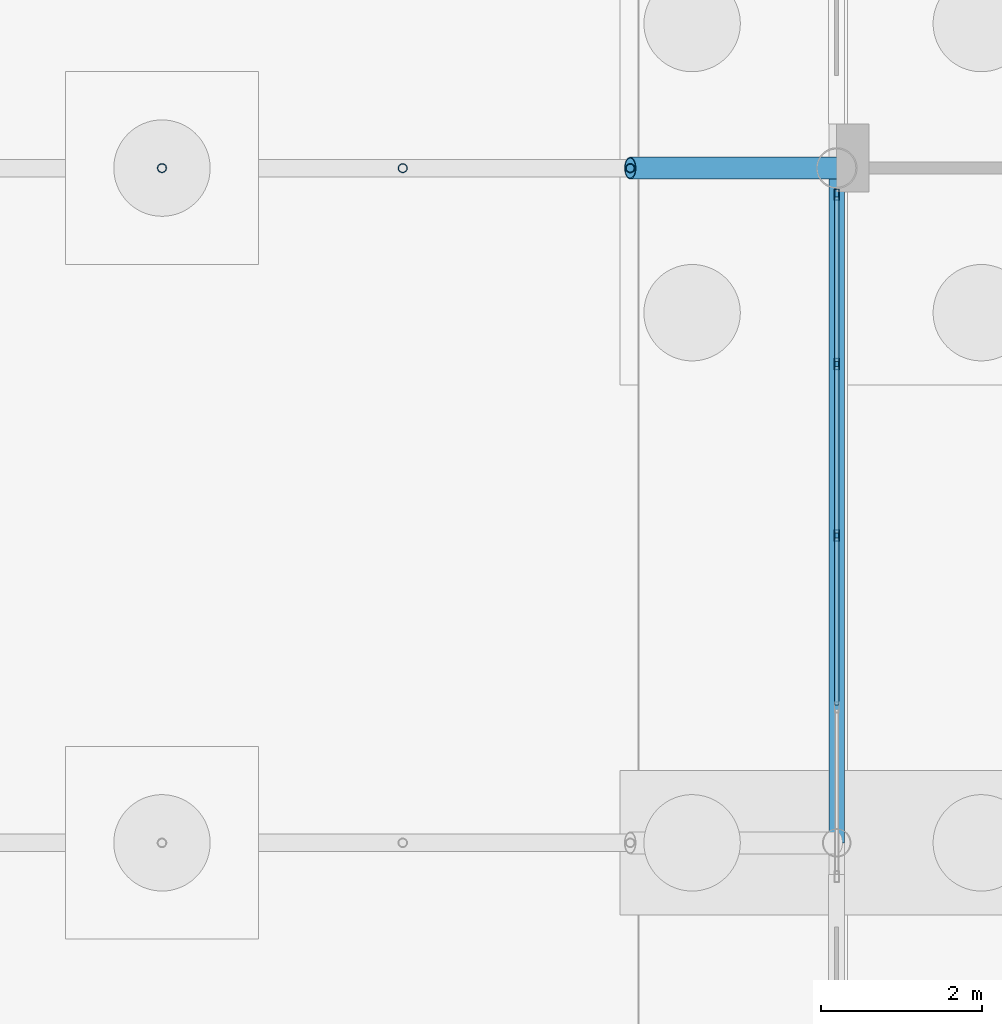
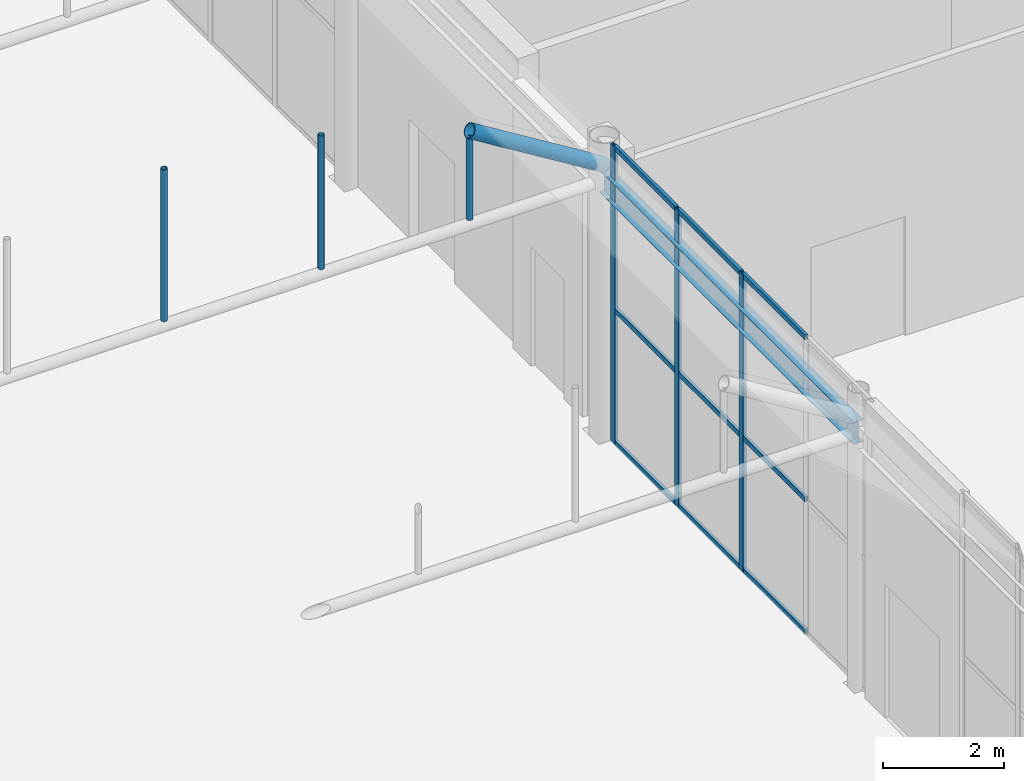
# One storey, part 100 of 212: 16 members, 1 beam, 1 element without a shape of its own.
"""IFC4 building model written with IfcOpenShell, lengths in metres."""

from ifc_helpers import new_model, si_unit, direction, frame, origin, origin_2d, place, context, subcontext, project, spatial, hollow_rectangle, hollow_circle, i_section, extrude, material, material_profile, profile_set, type_object, element, aggregate, save


model = new_model("IFC4")

# Units and contexts
model_context = context("Model", 3, precision=1e-05, world=origin(), true_north=direction((0.0, 1.0)))
body_context = subcontext(model_context, "Body", "Model", "MODEL_VIEW")
ifc_project = project(units=[si_unit("LENGTHUNIT", "METRE"), si_unit("AREAUNIT", "SQUARE_METRE"), si_unit("VOLUMEUNIT", "CUBIC_METRE"), si_unit("PLANEANGLEUNIT", "RADIAN"), si_unit("MASSUNIT", "GRAM", prefix="KILO")], contexts=[model_context])

# Site, building, storey
site_placement = place(None, origin())
site = spatial("IfcSite", under=ifc_project, at=site_placement, CompositionType="ELEMENT")
building_placement = place(site_placement, origin())
building = spatial("IfcBuilding", under=site, at=building_placement, Name="Catenary Quay Ferry Terminal", CompositionType="ELEMENT")
storey_placement = place(building_placement, origin())
storey = spatial("IfcBuildingStorey", under=building, at=storey_placement, Name="L00", CompositionType="ELEMENT", Elevation=0.0)

# Beam
ifc_material_1 = material(Name="Steel S355", Category="steel")
ifc_material_profile_1 = material_profile(ifc_material_1, i_section(OverallWidth=0.18994140625, OverallDepth=0.453369140625, WebThickness=0.008544921875, FlangeThickness=0.0126953125, at=origin_2d()), Name="UB 457x191x67")
ifc_profile_set_1 = profile_set([ifc_material_profile_1], Name="Steel S355")
beam_type = type_object("IfcBeamType", Name="B1 UB 457x191x67", PredefinedType="BEAM", material=ifc_profile_set_1)
beam_placement = place(storey_placement, frame((25.199951171875, 92.39990234375, 5.10009765625), z_axis=(0.0, 1.0, 0.0), x_axis=(-1.0, 0.0, 0.0)))
element("IfcBeam", 1, at=beam_placement, inside=storey, type_object=beam_type, Name="Eaves beam B-FD4", PredefinedType="BEAM", context=body_context, shape_type="SweptSolid", body=[
    extrude(i_section(OverallWidth=0.18994140625, OverallDepth=0.453369140625, WebThickness=0.008544921875, FlangeThickness=0.0126953125, at=origin_2d()), origin(), (0.0, 0.0, 1.0), 8.400146484375),
])

# Members
ifc_material_2 = material(Name="Steel S355", Category="steel")
ifc_material_profile_2 = material_profile(ifc_material_2, hollow_circle(Radius=0.05712890625, WallThickness=0.00634765625, at=origin_2d()), Name="CHS 114.3x6.3")
ifc_profile_set_2 = profile_set([ifc_material_profile_2], Name="Steel S355")
member_type_1 = type_object("IfcMemberType", Name="HG1 CHS 114.3x6.3", PredefinedType="POST", material=ifc_profile_set_2)
member_1_placement = place(storey_placement, frame((16.800048828125, 100.800048828125, 5.205078125), z_axis=(0.0, 0.0, 1.0), x_axis=(1.0, 0.0, 0.0)))
element("IfcMember", 2, at=member_1_placement, inside=storey, type_object=member_type_1, Name="Hanger FC-05-03", PredefinedType="POST", context=body_context, shape_type="SweptSolid", body=[
    extrude(hollow_circle(Radius=0.05712890625, WallThickness=0.00634765625, at=origin_2d()), origin(), (0.0, 0.0, 1.0), 3.06494140625),
])
member_2_placement = place(storey_placement, frame((19.797119140625, 100.800048828125, 5.205078125), z_axis=(0.0, 0.0, 1.0), x_axis=(1.0, 0.0, 0.0)))
element("IfcMember", 3, at=member_2_placement, inside=storey, type_object=member_type_1, Name="Hanger FC-05-04", PredefinedType="POST", context=body_context, shape_type="SweptSolid", body=[
    extrude(hollow_circle(Radius=0.05712890625, WallThickness=0.00634765625, at=origin_2d()), origin(), (0.0, 0.0, 1.0), 2.69580078125),
])
member_3_placement = place(storey_placement, frame((22.62890625, 100.800048828125, 5.205078125), z_axis=(0.0, 0.0, 1.0), x_axis=(1.0, 0.0, 0.0)))
element("IfcMember", 4, at=member_3_placement, inside=storey, type_object=member_type_1, Name="Hanger FC-05-05", PredefinedType="POST", context=body_context, shape_type="SweptSolid", body=[
    extrude(hollow_circle(Radius=0.05712890625, WallThickness=0.00634765625, at=origin_2d()), origin(), (0.0, 0.0, 1.0), 1.64892578125),
])

# Curtain wall, members
ifc_material_3 = material(Name="Aluminium and glass", Category="aluminium")
curtain_wall_type = type_object("IfcCurtainWallType", Name="CWG", PredefinedType="NOTDEFINED", material=ifc_material_3)
curtain_wall_placement = place(storey_placement, origin())
curtain_wall = element("IfcCurtainWall", 5, at=curtain_wall_placement, inside=storey, type_object=curtain_wall_type, Name="Gable arrivals hall curtain wall CW3", PredefinedType="NOTDEFINED")
ifc_material_4 = material(Name="Aluminium", Category="aluminium")
ifc_material_profile_3 = material_profile(ifc_material_4, hollow_rectangle(XDim=0.06005859375, YDim=0.139892578125, WallThickness=0.006103515625, at=origin_2d()), Name="MU2")
ifc_profile_set_3 = profile_set([ifc_material_profile_3], Name="Aluminium")
member_type_2 = type_object("IfcMemberType", Name="MU2", PredefinedType="MULLION", material=ifc_profile_set_3)
member_4_placement = place(storey_placement, frame((25.199951171875, 96.22509765625, 0.0), z_axis=(0.0, 0.0, 1.0), x_axis=(-1.0, 0.0, 0.0)))
member_4 = element("IfcMember", 6, at=member_4_placement, type_object=member_type_2, Name="CW3 mullion 3", PredefinedType="MULLION", context=body_context, shape_type="SweptSolid", body=[
    extrude(hollow_rectangle(XDim=0.06005859375, YDim=0.139892578125, WallThickness=0.006103515625, at=origin_2d()), origin(), (0.0, 0.0, 1.0), 6.0),
])
member_5_placement = place(storey_placement, frame((25.199951171875, 98.362548828125, 0.0), z_axis=(0.0, 0.0, 1.0), x_axis=(-1.0, 0.0, 0.0)))
member_5 = element("IfcMember", 7, at=member_5_placement, type_object=member_type_2, Name="CW3 mullion 4", PredefinedType="MULLION", context=body_context, shape_type="SweptSolid", body=[
    extrude(hollow_rectangle(XDim=0.06005859375, YDim=0.139892578125, WallThickness=0.006103515625, at=origin_2d()), origin(), (0.0, 0.0, 1.0), 6.0),
])
member_6_placement = place(storey_placement, frame((25.199951171875, 100.469970703125, 0.0), z_axis=(0.0, 0.0, 1.0), x_axis=(-1.0, 0.0, 0.0)))
member_6 = element("IfcMember", 8, at=member_6_placement, type_object=member_type_2, Name="CW3 mullion 5", PredefinedType="MULLION", context=body_context, shape_type="SweptSolid", body=[
    extrude(hollow_rectangle(XDim=0.06005859375, YDim=0.139892578125, WallThickness=0.006103515625, at=origin_2d()), origin(), (0.0, 0.0, 1.0), 6.0),
])
ifc_material_5 = material(Name="Aluminium", Category="aluminium")
ifc_material_profile_4 = material_profile(ifc_material_5, hollow_rectangle(XDim=0.06005859375, YDim=0.10009765625, WallThickness=0.0048828125, at=origin_2d()), Name="TR2")
ifc_profile_set_4 = profile_set([ifc_material_profile_4], Name="Aluminium")
member_type_3 = type_object("IfcMemberType", Name="TR2", PredefinedType="USERDEFINED", material=ifc_profile_set_4)
member_7_placement = place(storey_placement, frame((25.199951171875, 94.117431640625, 0.030029296875), z_axis=(0.0, 1.0, 0.0), x_axis=(-1.0, 0.0, 0.0)))
member_7 = element("IfcMember", 9, at=member_7_placement, type_object=member_type_3, Name="CW3 transom 2.1", ObjectType="TRANSOM", PredefinedType="USERDEFINED", context=body_context, shape_type="SweptSolid", body=[
    extrude(hollow_rectangle(XDim=0.06005859375, YDim=0.10009765625, WallThickness=0.0048828125, at=origin_2d()), origin(), (0.0, 0.0, 1.0), 2.07763671875),
])
member_8_placement = place(storey_placement, frame((25.199951171875, 94.117431640625, 2.699951171875), z_axis=(0.0, 1.0, 0.0), x_axis=(-1.0, 0.0, 0.0)))
member_8 = element("IfcMember", 10, at=member_8_placement, type_object=member_type_3, Name="CW3 transom 2.2", ObjectType="TRANSOM", PredefinedType="USERDEFINED", context=body_context, shape_type="SweptSolid", body=[
    extrude(hollow_rectangle(XDim=0.06005859375, YDim=0.10009765625, WallThickness=0.0048828125, at=origin_2d()), origin(), (0.0, 0.0, 1.0), 2.07763671875),
])
member_9_placement = place(storey_placement, frame((25.199951171875, 94.117431640625, 5.969970703125), z_axis=(0.0, 1.0, 0.0), x_axis=(-1.0, 0.0, 0.0)))
member_9 = element("IfcMember", 11, at=member_9_placement, type_object=member_type_3, Name="CW3 transom 2.3", ObjectType="TRANSOM", PredefinedType="USERDEFINED", context=body_context, shape_type="SweptSolid", body=[
    extrude(hollow_rectangle(XDim=0.06005859375, YDim=0.10009765625, WallThickness=0.0048828125, at=origin_2d()), origin(), (0.0, 0.0, 1.0), 2.07763671875),
])
member_10_placement = place(storey_placement, frame((25.199951171875, 96.2548828125, 0.030029296875), z_axis=(0.0, 1.0, 0.0), x_axis=(-1.0, 0.0, 0.0)))
member_10 = element("IfcMember", 12, at=member_10_placement, type_object=member_type_3, Name="CW3 transom 3.1", ObjectType="TRANSOM", PredefinedType="USERDEFINED", context=body_context, shape_type="SweptSolid", body=[
    extrude(hollow_rectangle(XDim=0.06005859375, YDim=0.10009765625, WallThickness=0.0048828125, at=origin_2d()), origin(), (0.0, 0.0, 1.0), 2.07763671875),
])
member_11_placement = place(storey_placement, frame((25.199951171875, 96.2548828125, 2.699951171875), z_axis=(0.0, 1.0, 0.0), x_axis=(-1.0, 0.0, 0.0)))
member_11 = element("IfcMember", 13, at=member_11_placement, type_object=member_type_3, Name="CW3 transom 3.2", ObjectType="TRANSOM", PredefinedType="USERDEFINED", context=body_context, shape_type="SweptSolid", body=[
    extrude(hollow_rectangle(XDim=0.06005859375, YDim=0.10009765625, WallThickness=0.0048828125, at=origin_2d()), origin(), (0.0, 0.0, 1.0), 2.07763671875),
])
member_12_placement = place(storey_placement, frame((25.199951171875, 96.2548828125, 5.969970703125), z_axis=(0.0, 1.0, 0.0), x_axis=(-1.0, 0.0, 0.0)))
member_12 = element("IfcMember", 14, at=member_12_placement, type_object=member_type_3, Name="CW3 transom 3.3", ObjectType="TRANSOM", PredefinedType="USERDEFINED", context=body_context, shape_type="SweptSolid", body=[
    extrude(hollow_rectangle(XDim=0.06005859375, YDim=0.10009765625, WallThickness=0.0048828125, at=origin_2d()), origin(), (0.0, 0.0, 1.0), 2.07763671875),
])
member_13_placement = place(storey_placement, frame((25.199951171875, 98.392578125, 0.030029296875), z_axis=(0.0, 1.0, 0.0), x_axis=(-1.0, 0.0, 0.0)))
member_13 = element("IfcMember", 15, at=member_13_placement, type_object=member_type_3, Name="CW3 transom 4.1", ObjectType="TRANSOM", PredefinedType="USERDEFINED", context=body_context, shape_type="SweptSolid", body=[
    extrude(hollow_rectangle(XDim=0.06005859375, YDim=0.10009765625, WallThickness=0.0048828125, at=origin_2d()), origin(), (0.0, 0.0, 1.0), 2.04736328125),
])
member_14_placement = place(storey_placement, frame((25.199951171875, 98.392578125, 2.699951171875), z_axis=(0.0, 1.0, 0.0), x_axis=(-1.0, 0.0, 0.0)))
member_14 = element("IfcMember", 16, at=member_14_placement, type_object=member_type_3, Name="CW3 transom 4.2", ObjectType="TRANSOM", PredefinedType="USERDEFINED", context=body_context, shape_type="SweptSolid", body=[
    extrude(hollow_rectangle(XDim=0.06005859375, YDim=0.10009765625, WallThickness=0.0048828125, at=origin_2d()), origin(), (0.0, 0.0, 1.0), 2.04736328125),
])
member_15_placement = place(storey_placement, frame((25.199951171875, 98.392578125, 5.969970703125), z_axis=(0.0, 1.0, 0.0), x_axis=(-1.0, 0.0, 0.0)))
member_15 = element("IfcMember", 17, at=member_15_placement, type_object=member_type_3, Name="CW3 transom 4.3", ObjectType="TRANSOM", PredefinedType="USERDEFINED", context=body_context, shape_type="SweptSolid", body=[
    extrude(hollow_rectangle(XDim=0.06005859375, YDim=0.10009765625, WallThickness=0.0048828125, at=origin_2d()), origin(), (0.0, 0.0, 1.0), 2.04736328125),
])
aggregate(curtain_wall, [member_4, member_5, member_6, member_7, member_8, member_9, member_10, member_11, member_12, member_13, member_14, member_15])

# Member
ifc_material_6 = material(Name="Steel S355", Category="steel")
ifc_material_profile_5 = material_profile(ifc_material_6, hollow_circle(Radius=0.136474609375, WallThickness=0.012451171875, at=origin_2d()), Name="CHS 273x12.5")
ifc_profile_set_5 = profile_set([ifc_material_profile_5], Name="Steel S355")
member_type_4 = type_object("IfcMemberType", Name="VR2 CHS 273x12.5", PredefinedType="RAFTER", material=ifc_profile_set_5)
member_16_placement = place(storey_placement, frame((22.62890625, 100.800048828125, 6.98388671875), z_axis=(0.851391726314, 0.0, -0.524530388408), x_axis=(0.0, 1.0, 0.0)))
element("IfcMember", 18, at=member_16_placement, inside=storey, type_object=member_type_4, Name="rib FC-05-06", PredefinedType="RAFTER", context=body_context, shape_type="SweptSolid", body=[
    extrude(hollow_circle(Radius=0.136474609375, WallThickness=0.012451171875, at=origin_2d()), origin(), (0.0, 0.0, 1.0), 3.019775390625),
])

save(model, "model.ifc")
